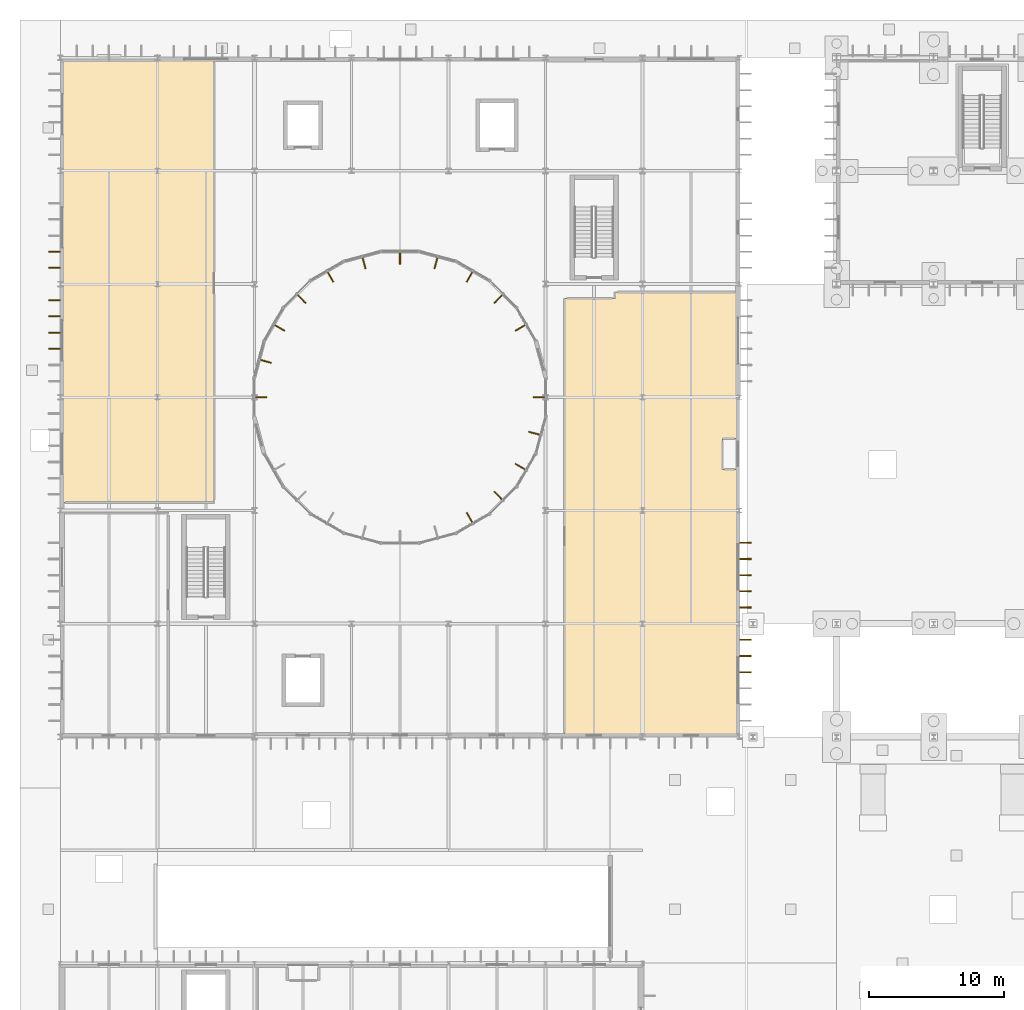
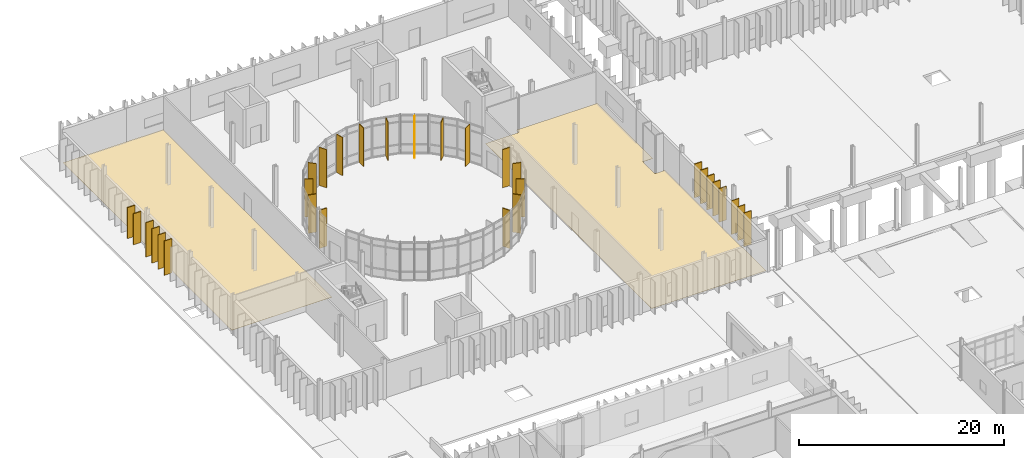
# One storey, part 108 of 118: 30 shading devices, 2 coverings.
"""IFC4 building model written with IfcOpenShell, lengths in metres."""

from ifc_helpers import new_model, si_unit, direction, frame, origin, origin_2d, place, context, subcontext, project, spatial, polyline, rectangle, outline, extrude, material, layer, layer_set, type_object, element, save


model = new_model("IFC4")

# Units and contexts
model_context = context("Model", 3, precision=1e-05, world=origin(), true_north=direction((0.0, 1.0)))
body_context = subcontext(model_context, "Body", "Model", "MODEL_VIEW")
ifc_project = project(units=[si_unit("LENGTHUNIT", "METRE"), si_unit("AREAUNIT", "SQUARE_METRE"), si_unit("VOLUMEUNIT", "CUBIC_METRE"), si_unit("PLANEANGLEUNIT", "RADIAN"), si_unit("MASSUNIT", "GRAM", prefix="KILO")], contexts=[model_context])

# Site, building, storey
site_placement = place(None, origin())
site = spatial("IfcSite", under=ifc_project, at=site_placement, CompositionType="ELEMENT")
building_placement = place(site_placement, origin())
building = spatial("IfcBuilding", under=site, at=building_placement, Name="Qelthora Terrace Specialist Clinic", CompositionType="ELEMENT")
storey_placement = place(building_placement, origin())
storey = spatial("IfcBuildingStorey", under=building, at=storey_placement, Name="L00", CompositionType="ELEMENT", Elevation=0.0)

# Coverings
ifc_material_1 = material(Name="Antimicrobial clinical linoleum flooring", Category="other")
ifc_layer = layer(ifc_material_1, 0.011962890625)
ifc_layer_set = layer_set([ifc_layer], Name="Antimicrobial clinical linoleum flooring")
covering_type = type_object("IfcCoveringType", Name="COV-FLR-LINO-12", PredefinedType="FLOORING", material=ifc_layer_set)
covering_1_placement = place(storey_placement, origin())
element("IfcCovering", 1, at=covering_1_placement, inside=storey, type_object=covering_type, Name="Pre-Admission Assessment Clinic L00-51 resilient linoleum flooring", PredefinedType="FLOORING", context=body_context, shape_type="SweptSolid", body=[
    extrude(outline(polyline([(11.39990234375, 76.199951171875), (0.14990234375, 76.199951171875), (0.14990234375, 109.070068359375), (11.39990234375, 109.070068359375), (11.39990234375, 76.199951171875)])), origin(), (0.0, 0.0, 1.0), 0.011962890625),
])
covering_2_placement = place(storey_placement, origin())
element("IfcCovering", 2, at=covering_2_placement, inside=storey, type_object=covering_type, Name="Outpatient Pharmacy Dispensary Hall L00-52 resilient linoleum flooring", PredefinedType="FLOORING", context=body_context, shape_type="SweptSolid", body=[
    extrude(outline(polyline([(41.159912109375, 91.31494140625), (41.159912109375, 91.800048828125), (50.25, 91.800048828125), (50.25, 80.9599609375), (49.1201171875, 80.9599609375), (49.1201171875, 78.639892578125), (50.25, 78.639892578125), (50.25, 58.949951171875), (37.39990234375, 58.949951171875), (37.39990234375, 91.31494140625), (41.159912109375, 91.31494140625)])), origin(), (0.0, 0.0, 1.0), 0.011962890625),
])

# Shading devices
ifc_material_2 = material(Name="Glulam timber GL28h", Category="wood")
shading_device_type = type_object("IfcShadingDeviceType", Name="SHD-FIN-850", PredefinedType="USERDEFINED", material=ifc_material_2)
for number, where, z_axis, x_axis, name in (
    (3, (34.130859375, 89.15625, 0.0), (0.0, 0.0, 1.0), (-0.866025403784, -0.5, 0.0), "Court solar fin FIN-0083"),
    (4, (32.4921875, 91.292236328125, 0.0), (0.0, 0.0, 1.0), (-0.707106781187, -0.707106781187, 0.0), "Court solar fin FIN-0084"),
    (5, (30.356201171875, 92.930908203125, 0.0), (0.0, 0.0, 1.0), (-0.5, -0.866025403784, 0.0), "Court solar fin FIN-0085"),
    (6, (27.869140625, 93.961181640625, 0.0), (0.0, 0.0, 1.0), (-0.258819045103, -0.965925826289, 0.0), "Court solar fin FIN-0086"),
    (7, (25.199951171875, 94.3125, 0.0), (0.0, 0.0, 1.0), (0.0, -1.0, 0.0), "Court solar fin FIN-0087"),
    (8, (22.531005859375, 93.961181640625, 0.0), (0.0, 0.0, 1.0), (0.258819045103, -0.965925826289, 0.0), "Court solar fin FIN-0088"),
    (9, (20.043701171875, 92.930908203125, 0.0), (0.0, 0.0, 1.0), (0.5, -0.866025403784, 0.0), "Court solar fin FIN-0089"),
    (10, (17.907958984375, 91.292236328125, 0.0), (0.0, 0.0, 1.0), (0.707106781187, -0.707106781187, 0.0), "Court solar fin FIN-0090"),
    (11, (16.26904296875, 89.15625, 0.0), (0.0, 0.0, 1.0), (0.866025403784, -0.5, 0.0), "Court solar fin FIN-0091"),
    (12, (15.23876953125, 86.669189453125, 0.0), (0.0, 0.0, 1.0), (0.965925826289, -0.258819045103, 0.0), "Court solar fin FIN-0092"),
    (13, (14.887451171875, 84.0, 0.0), (0.0, 0.0, 1.0), (1.0, 0.0, 0.0), "Court solar fin FIN-0093"),
    (14, (30.356201171875, 75.069091796875, 0.0), (0.0, 0.0, 1.0), (-0.5, 0.866025403784, 0.0), "Court solar fin FIN-0100"),
    (15, (32.4921875, 76.707763671875, 0.0), (0.0, 0.0, 1.0), (-0.707106781187, 0.707106781187, 0.0), "Court solar fin FIN-0101"),
    (16, (34.130859375, 78.84375, 0.0), (0.0, 0.0, 1.0), (-0.866025403784, 0.5, 0.0), "Court solar fin FIN-0102"),
    (17, (35.1611328125, 81.330810546875, 0.0), (0.0, 0.0, 1.0), (-0.965925826289, 0.258819045103, 0.0), "Court solar fin FIN-0103"),
    (18, (35.5126953125, 84.0, 0.0), (0.0, 0.0, 1.0), (-1.0, 0.0, 0.0), "Court solar fin FIN-0104"),
):
    element("IfcShadingDevice", number, at=place(storey_placement, frame(where, z_axis=z_axis, x_axis=x_axis)), inside=storey, type_object=shading_device_type, Name=name, ObjectType="FIN", PredefinedType="USERDEFINED", context=body_context, shape_type="SweptSolid", body=[
        extrude(rectangle(XDim=0.85009765625, YDim=0.080078125, at=origin_2d()), origin(), (0.0, 0.0, 1.0), 4.544921875),
    ])
for number, where, z_axis, x_axis, name in (
    (19, (-0.455078125, 87.60009765625, 0.0), (0.0, 0.0, 1.0), (-1.0, 0.0, 0.0), "Exterior solar shading fin FIN-0420"),
    (20, (-0.455078125, 88.800048828125, 0.0), (0.0, 0.0, 1.0), (-1.0, 0.0, 0.0), "Exterior solar shading fin FIN-0421"),
    (21, (-0.455078125, 90.0, 0.0), (0.0, 0.0, 1.0), (-1.0, 0.0, 0.0), "Exterior solar shading fin FIN-0422"),
    (22, (-0.455078125, 91.199951171875, 0.0), (0.0, 0.0, 1.0), (-1.0, 0.0, 0.0), "Exterior solar shading fin FIN-0423"),
):
    element("IfcShadingDevice", number, at=place(storey_placement, frame(where, z_axis=z_axis, x_axis=x_axis)), inside=storey, type_object=shading_device_type, Name=name, ObjectType="FIN", PredefinedType="USERDEFINED", context=body_context, shape_type="SweptSolid", body=[
        extrude(rectangle(XDim=0.85009765625, YDim=0.080078125, at=origin_2d()), origin(), (0.0, 0.0, 1.0), 4.08203125),
    ])
for number, where, z_axis, x_axis, name in (
    (23, (-0.445068359375, 93.60009765625, 0.0), (0.0, 0.0, 1.0), (-1.0, 0.0, 0.0), "Exterior solar shading fin FIN-0424"),
    (24, (-0.445068359375, 94.800048828125, 0.0), (0.0, 0.0, 1.0), (-1.0, 0.0, 0.0), "Exterior solar shading fin FIN-0425"),
):
    element("IfcShadingDevice", number, at=place(storey_placement, frame(where, z_axis=z_axis, x_axis=x_axis)), inside=storey, type_object=shading_device_type, Name=name, ObjectType="FIN", PredefinedType="USERDEFINED", context=body_context, shape_type="SweptSolid", body=[
        extrude(rectangle(XDim=0.85009765625, YDim=0.080078125, at=origin_2d()), origin(), (0.0, 0.0, 1.0), 3.69091796875),
    ])
for number, where, z_axis, x_axis, name in (
    (25, (50.85498046875, 63.60009765625, 0.0), (0.0, 0.0, 1.0), (1.0, 0.0, 0.0), "Exterior solar shading fin FIN-0467"),
    (26, (50.85498046875, 64.800048828125, 0.0), (0.0, 0.0, 1.0), (1.0, 0.0, 0.0), "Exterior solar shading fin FIN-0468"),
    (27, (50.85498046875, 66.0, 0.0), (0.0, 0.0, 1.0), (1.0, 0.0, 0.0), "Exterior solar shading fin FIN-0469"),
    (28, (50.844970703125, 68.39990234375, 0.0), (0.0, 0.0, 1.0), (1.0, 0.0, 0.0), "Exterior solar shading fin FIN-0470"),
    (29, (50.844970703125, 69.60009765625, 0.0), (0.0, 0.0, 1.0), (1.0, 0.0, 0.0), "Exterior solar shading fin FIN-0471"),
    (30, (50.844970703125, 70.800048828125, 0.0), (0.0, 0.0, 1.0), (1.0, 0.0, 0.0), "Exterior solar shading fin FIN-0472"),
    (31, (50.844970703125, 72.0, 0.0), (0.0, 0.0, 1.0), (1.0, 0.0, 0.0), "Exterior solar shading fin FIN-0473"),
    (32, (50.844970703125, 73.199951171875, 0.0), (0.0, 0.0, 1.0), (1.0, 0.0, 0.0), "Exterior solar shading fin FIN-0474"),
):
    element("IfcShadingDevice", number, at=place(storey_placement, frame(where, z_axis=z_axis, x_axis=x_axis)), inside=storey, type_object=shading_device_type, Name=name, ObjectType="FIN", PredefinedType="USERDEFINED", context=body_context, shape_type="SweptSolid", body=[
        extrude(rectangle(XDim=0.85009765625, YDim=0.080078125, at=origin_2d()), origin(), (0.0, 0.0, 1.0), 4.0048828125),
    ])

save(model, "model.ifc")
